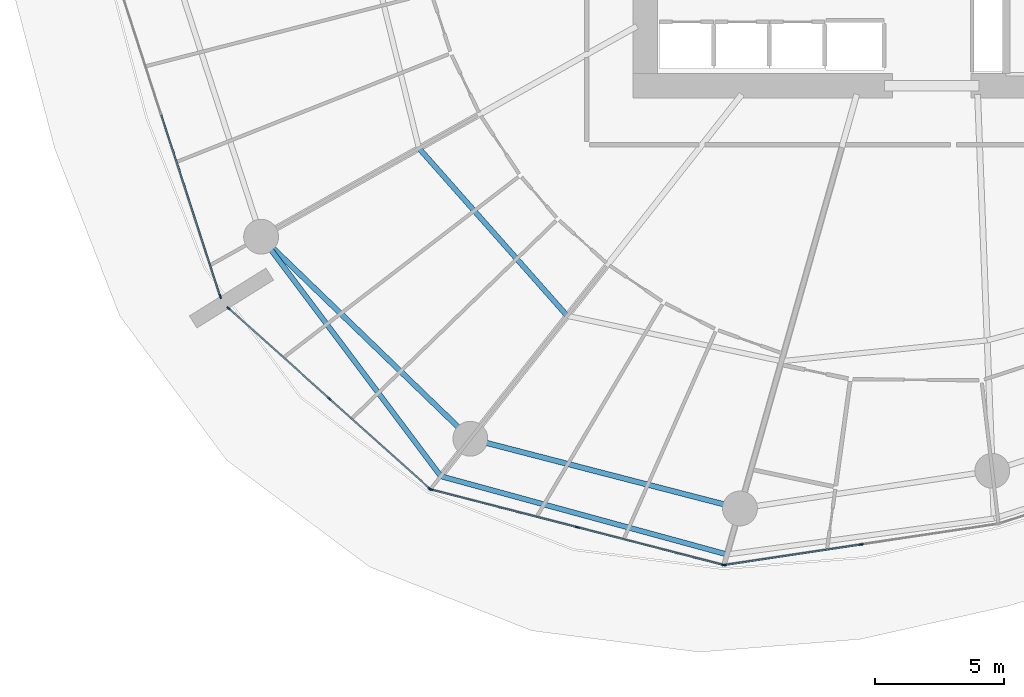
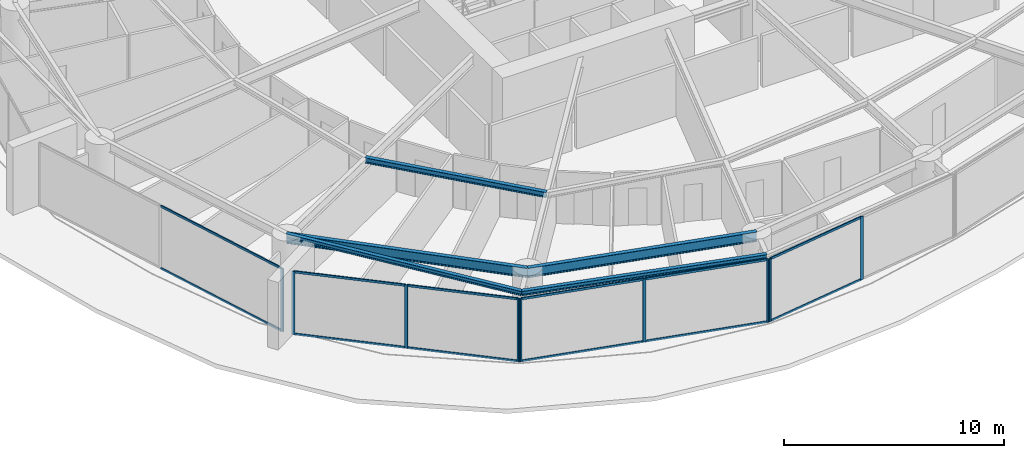
# One storey, part 5 of 22: 21 members, 5 beams, 4 elements without a shape of their own.
"""IFC4 building model written with IfcOpenShell, lengths in metres."""

from ifc_helpers import new_model, si_unit, direction, frame, origin, origin_2d, place, context, subcontext, project, spatial, rectangle, i_section, extrude, material, layer, layer_set, material_profile, profile_set, type_object, element, aggregate, save


model = new_model("IFC4")

# Units and contexts
model_context = context("Model", 3, precision=1e-05, world=origin(), true_north=direction((0.0, 1.0)))
body_context = subcontext(model_context, "Body", "Model", "MODEL_VIEW")
ifc_project = project(units=[si_unit("LENGTHUNIT", "METRE"), si_unit("AREAUNIT", "SQUARE_METRE"), si_unit("VOLUMEUNIT", "CUBIC_METRE"), si_unit("PLANEANGLEUNIT", "RADIAN"), si_unit("MASSUNIT", "GRAM", prefix="KILO")], contexts=[model_context])

# Site, building, storey
site_placement = place(None, origin())
site = spatial("IfcSite", under=ifc_project, at=site_placement, CompositionType="ELEMENT")
building_placement = place(site_placement, origin())
building = spatial("IfcBuilding", under=site, at=building_placement, Name="Kazma Halo Residences", CompositionType="ELEMENT")
storey_placement = place(building_placement, frame((0.0, 0.0, 26.39990234375)))
storey = spatial("IfcBuildingStorey", under=building, at=storey_placement, Name="L05", CompositionType="ELEMENT", Elevation=26.39990234375)

# Beams
ifc_material_1 = material(Name="Steel S355", Category="steel")
ifc_material_profile_1 = material_profile(ifc_material_1, i_section(OverallWidth=0.201904296875, OverallDepth=0.2470703125, WebThickness=0.00732421875, FlangeThickness=0.010986328125, FilletRadius=0.011962890625, at=origin_2d()), Name="W250x49.1")
ifc_profile_set_1 = profile_set([ifc_material_profile_1], Name="Steel S355")
beam_type_1 = type_object("IfcBeamType", Name="BM-BAL-CANT", PredefinedType="BEAM", material=ifc_profile_set_1)
beam_1_placement = place(storey_placement, frame((22.43505859375, 27.682861328125, 3.376708984375), z_axis=(0.600026935007, -0.799979798037, 0.0), x_axis=(0.799979798037, 0.600026935007, 0.0)))
element("IfcBeam", 1, at=beam_1_placement, inside=storey, type_object=beam_type_1, Name="L05 wave-balcony lead tie beam 09", PredefinedType="BEAM", context=body_context, shape_type="SweptSolid", body=[
    extrude(i_section(OverallWidth=0.201904296875, OverallDepth=0.2470703125, WebThickness=0.00732421875, FlangeThickness=0.010986328125, FilletRadius=0.011962890625, at=origin_2d()), origin(), (0.0, 0.0, 1.0), 11.601806640625),
])
beam_2_placement = place(storey_placement, frame((29.396484375, 18.401611328125, 3.376708984375), z_axis=(0.964628474934, -0.263613173697, 0.0), x_axis=(0.263613173697, 0.964628474934, 0.0)))
element("IfcBeam", 2, at=beam_2_placement, inside=storey, type_object=beam_type_1, Name="L05 wave-balcony tie beam 10", PredefinedType="BEAM", context=body_context, shape_type="SweptSolid", body=[
    extrude(i_section(OverallWidth=0.201904296875, OverallDepth=0.2470703125, WebThickness=0.00732421875, FlangeThickness=0.010986328125, FilletRadius=0.011962890625, at=origin_2d()), origin(), (0.0, 0.0, 1.0), 11.499755859375),
])
ifc_material_profile_2 = material_profile(ifc_material_1, i_section(OverallWidth=0.202880859375, OverallDepth=0.302978515625, WebThickness=0.007568359375, FlangeThickness=0.01318359375, FilletRadius=0.013916015625, at=origin_2d()), Name="W310x60")
ifc_profile_set_2 = profile_set([ifc_material_profile_2], Name="Steel S355")
beam_type_2 = type_object("IfcBeamType", Name="BM-SEC-W310A", PredefinedType="JOIST", material=ifc_profile_set_2)
beam_3_placement = place(storey_placement, frame((28.55224609375, 31.10888671875, 3.3486328125), z_axis=(0.662640120169, -0.748937962146, 0.0), x_axis=(0.748937962146, 0.662640120169, 0.0)))
element("IfcBeam", 3, at=beam_3_placement, inside=storey, type_object=beam_type_2, Name="L05 circumferential floor joist 09", PredefinedType="JOIST", context=body_context, shape_type="SweptSolid", body=[
    extrude(i_section(OverallWidth=0.202880859375, OverallDepth=0.302978515625, WebThickness=0.007568359375, FlangeThickness=0.01318359375, FilletRadius=0.013916015625, at=origin_2d()), origin(), (0.0, 0.0, 1.0), 8.668212890625),
])
ifc_material_profile_3 = material_profile(ifc_material_1, i_section(OverallWidth=0.208984375, OverallDepth=0.532958984375, WebThickness=0.01025390625, FlangeThickness=0.015625, FilletRadius=0.01611328125, at=origin_2d()), Name="W530x92")
ifc_profile_set_3 = profile_set([ifc_material_profile_3], Name="Steel S355")
beam_type_3 = type_object("IfcBeamType", Name="BM-SPN-W530", PredefinedType="BEAM", material=ifc_profile_set_3)
beam_4_placement = place(storey_placement, frame((22.43505859375, 27.682861328125, 3.233642578125), z_axis=(0.719336506967, -0.694661780829, 0.0), x_axis=(0.694661780829, 0.719336506967, 0.0)))
element("IfcBeam", 4, at=beam_4_placement, inside=storey, type_object=beam_type_3, Name="L05 perimeter ring beam 09", PredefinedType="BEAM", context=body_context, shape_type="SweptSolid", body=[
    extrude(i_section(OverallWidth=0.208984375, OverallDepth=0.532958984375, WebThickness=0.01025390625, FlangeThickness=0.015625, FilletRadius=0.01611328125, at=origin_2d()), origin(), (0.0, 0.0, 1.0), 11.269775390625),
])
beam_5_placement = place(storey_placement, frame((30.541748046875, 19.854248046875, 3.233642578125), z_axis=(0.968123558238, -0.250473104313, 0.0), x_axis=(0.250473104313, 0.968123558238, 0.0)))
element("IfcBeam", 5, at=beam_5_placement, inside=storey, type_object=beam_type_3, Name="L05 perimeter ring beam 10", PredefinedType="BEAM", context=body_context, shape_type="SweptSolid", body=[
    extrude(i_section(OverallWidth=0.208984375, OverallDepth=0.532958984375, WebThickness=0.01025390625, FlangeThickness=0.015625, FilletRadius=0.01611328125, at=origin_2d()), origin(), (0.0, 0.0, 1.0), 10.7939453125),
])

# Curtain wall, member
ifc_material_2 = material(Name="Aluminium AW-6063 T6 and Triple-Silver Low-E Glass", Category="aluminium")
ifc_layer = layer(ifc_material_2, 0.159912109375)
ifc_layer_set = layer_set([ifc_layer], Name="Aluminium AW-6063 T6 and Triple-Silver Low-E Glass")
curtain_wall_type = type_object("IfcCurtainWallType", Name="CW-SYS-2", PredefinedType="NOTDEFINED", material=ifc_layer_set)
curtain_wall_1_placement = place(storey_placement, origin())
curtain_wall_1 = element("IfcCurtainWall", 6, at=curtain_wall_1_placement, inside=storey, type_object=curtain_wall_type, Name="L05 unitised curtain wall B08", PredefinedType="NOTDEFINED")
ifc_material_3 = material(Name="Aluminium AW-6063 T6", Category="aluminium")
ifc_material_profile_4 = material_profile(ifc_material_3, rectangle(XDim=0.06005859375, YDim=0.159912109375, at=origin_2d()), Name="CWM-60x160")
ifc_profile_set_4 = profile_set([ifc_material_profile_4], Name="Aluminium AW-6063 T6")
member_type_1 = type_object("IfcMemberType", Name="CW-SYS-2-MUL", PredefinedType="MULLION", material=ifc_profile_set_4)
member_1_placement = place(storey_placement, frame((20.854248046875, 25.36669921875, 0.0), z_axis=(0.0, 0.0, 1.0), x_axis=(0.95105652404, 0.309016970539, 0.0)))
member_1 = element("IfcMember", 7, at=member_1_placement, type_object=member_type_1, Name="CWS-2 mullion 3", PredefinedType="MULLION", context=body_context, shape_type="SweptSolid", body=[
    extrude(rectangle(XDim=0.06005859375, YDim=0.159912109375, at=origin_2d()), origin(), (0.0, 0.0, 1.0), 3.5),
])

# Curtain wall, members
curtain_wall_2_placement = place(storey_placement, origin())
curtain_wall_2 = element("IfcCurtainWall", 8, at=curtain_wall_2_placement, inside=storey, type_object=curtain_wall_type, Name="L05 unitised curtain wall B09", PredefinedType="NOTDEFINED")
member_2_placement = place(storey_placement, frame((21.17333984375, 24.908203125, 0.0), z_axis=(0.0, 0.0, 1.0), x_axis=(0.667821453854, 0.744321506993, 0.0)))
member_2 = element("IfcMember", 9, at=member_2_placement, type_object=member_type_1, Name="CWS-2 mullion 1", PredefinedType="MULLION", context=body_context, shape_type="SweptSolid", body=[
    extrude(rectangle(XDim=0.06005859375, YDim=0.159912109375, at=origin_2d()), origin(), (0.0, 0.0, 1.0), 3.5),
])
member_3_placement = place(storey_placement, frame((25.07275390625, 21.409912109375, 0.0), z_axis=(0.0, 0.0, 1.0), x_axis=(0.667821453854, 0.744321506993, 0.0)))
member_3 = element("IfcMember", 10, at=member_3_placement, type_object=member_type_1, Name="CWS-2 mullion 2", PredefinedType="MULLION", context=body_context, shape_type="SweptSolid", body=[
    extrude(rectangle(XDim=0.06005859375, YDim=0.159912109375, at=origin_2d()), origin(), (0.0, 0.0, 1.0), 3.5),
])
member_4_placement = place(storey_placement, frame((28.971923828125, 17.911376953125, 0.0), z_axis=(0.0, 0.0, 1.0), x_axis=(0.667821453854, 0.744321506993, 0.0)))
member_4 = element("IfcMember", 11, at=member_4_placement, type_object=member_type_1, Name="CWS-2 mullion 3", PredefinedType="MULLION", context=body_context, shape_type="SweptSolid", body=[
    extrude(rectangle(XDim=0.06005859375, YDim=0.159912109375, at=origin_2d()), origin(), (0.0, 0.0, 1.0), 3.5),
])

curtain_wall_3_placement = place(storey_placement, origin())
curtain_wall_3 = element("IfcCurtainWall", 12, at=curtain_wall_3_placement, inside=storey, type_object=curtain_wall_type, Name="L05 unitised curtain wall B10", PredefinedType="NOTDEFINED")
member_5_placement = place(storey_placement, frame((29.023193359375, 17.8837890625, 0.0), z_axis=(0.0, 0.0, 1.0), x_axis=(0.249635311349, 0.968339925505, 0.0)))
member_5 = element("IfcMember", 13, at=member_5_placement, type_object=member_type_1, Name="CWS-2 mullion 1", PredefinedType="MULLION", context=body_context, shape_type="SweptSolid", body=[
    extrude(rectangle(XDim=0.06005859375, YDim=0.159912109375, at=origin_2d()), origin(), (0.0, 0.0, 1.0), 3.5),
])
member_6_placement = place(storey_placement, frame((34.683837890625, 16.424560546875, 0.0), z_axis=(0.0, 0.0, 1.0), x_axis=(0.249635311349, 0.968339925505, 0.0)))
member_6 = element("IfcMember", 14, at=member_6_placement, type_object=member_type_1, Name="CWS-2 mullion 2", PredefinedType="MULLION", context=body_context, shape_type="SweptSolid", body=[
    extrude(rectangle(XDim=0.06005859375, YDim=0.159912109375, at=origin_2d()), origin(), (0.0, 0.0, 1.0), 3.5),
])
member_7_placement = place(storey_placement, frame((40.34423828125, 14.96533203125, 0.0), z_axis=(0.0, 0.0, 1.0), x_axis=(0.249635311349, 0.968339925505, 0.0)))
member_7 = element("IfcMember", 15, at=member_7_placement, type_object=member_type_1, Name="CWS-2 mullion 3", PredefinedType="MULLION", context=body_context, shape_type="SweptSolid", body=[
    extrude(rectangle(XDim=0.06005859375, YDim=0.159912109375, at=origin_2d()), origin(), (0.0, 0.0, 1.0), 3.5),
])

curtain_wall_4_placement = place(storey_placement, origin())
curtain_wall_4 = element("IfcCurtainWall", 16, at=curtain_wall_4_placement, inside=storey, type_object=curtain_wall_type, Name="L05 unitised curtain wall B11", PredefinedType="NOTDEFINED")
member_8_placement = place(storey_placement, frame((40.403076171875, 14.962158203125, 0.0), z_axis=(0.0, 0.0, 1.0), x_axis=(-0.148657272805, 0.988888777994, 0.0)))
member_8 = element("IfcMember", 17, at=member_8_placement, type_object=member_type_1, Name="CWS-2 mullion 1", PredefinedType="MULLION", context=body_context, shape_type="SweptSolid", body=[
    extrude(rectangle(XDim=0.06005859375, YDim=0.159912109375, at=origin_2d()), origin(), (0.0, 0.0, 1.0), 3.5),
])
member_9_placement = place(storey_placement, frame((45.6923828125, 15.75732421875, 0.0), z_axis=(0.0, 0.0, 1.0), x_axis=(-0.148657272805, 0.988888777994, 0.0)))
member_9 = element("IfcMember", 18, at=member_9_placement, type_object=member_type_1, Name="CWS-2 mullion 2", PredefinedType="MULLION", context=body_context, shape_type="SweptSolid", body=[
    extrude(rectangle(XDim=0.06005859375, YDim=0.159912109375, at=origin_2d()), origin(), (0.0, 0.0, 1.0), 3.5),
])

# Member
ifc_material_profile_5 = material_profile(ifc_material_3, rectangle(XDim=0.06005859375, YDim=0.1201171875, at=origin_2d()), Name="CWT-60x120")
ifc_profile_set_5 = profile_set([ifc_material_profile_5], Name="Aluminium AW-6063 T6")
member_type_2 = type_object("IfcMemberType", Name="CW-SYS-2-TRN", PredefinedType="USERDEFINED", material=ifc_profile_set_5)
member_10_placement = place(storey_placement, frame((18.5673828125, 32.4052734375, 0.030029296875), z_axis=(0.309004433966, -0.951060597328, 0.0), x_axis=(0.951060597328, 0.309004433966, 0.0)))
member_10 = element("IfcMember", 19, at=member_10_placement, type_object=member_type_2, Name="CWS-2 transom 2.1", ObjectType="TRANSOM", PredefinedType="USERDEFINED", context=body_context, shape_type="SweptSolid", body=[
    extrude(rectangle(XDim=0.06005859375, YDim=0.1201171875, at=origin_2d()), origin(), (0.0, 0.0, 1.0), 7.370849609375),
])

member_11_placement = place(storey_placement, frame((18.5673828125, 32.4052734375, 3.47021484375), z_axis=(0.309004433966, -0.951060597328, 0.0), x_axis=(0.951060597328, 0.309004433966, 0.0)))
member_11 = element("IfcMember", 20, at=member_11_placement, type_object=member_type_2, Name="CWS-2 transom 2.2", ObjectType="TRANSOM", PredefinedType="USERDEFINED", context=body_context, shape_type="SweptSolid", body=[
    extrude(rectangle(XDim=0.06005859375, YDim=0.1201171875, at=origin_2d()), origin(), (0.0, 0.0, 1.0), 7.370849609375),
])

aggregate(curtain_wall_1, [member_1, member_10, member_11])

member_12_placement = place(storey_placement, frame((21.19580078125, 24.88818359375, 0.030029296875), z_axis=(0.744329408538, -0.66781264707, 0.0), x_axis=(0.66781264707, 0.744329408538, 0.0)))
member_12 = element("IfcMember", 21, at=member_12_placement, type_object=member_type_2, Name="CWS-2 transom 1.1", ObjectType="TRANSOM", PredefinedType="USERDEFINED", context=body_context, shape_type="SweptSolid", body=[
    extrude(rectangle(XDim=0.06005859375, YDim=0.1201171875, at=origin_2d()), origin(), (0.0, 0.0, 1.0), 5.178466796875),
])

member_13_placement = place(storey_placement, frame((21.19580078125, 24.88818359375, 3.47021484375), z_axis=(0.744329408538, -0.66781264707, 0.0), x_axis=(0.66781264707, 0.744329408538, 0.0)))
member_13 = element("IfcMember", 22, at=member_13_placement, type_object=member_type_2, Name="CWS-2 transom 1.2", ObjectType="TRANSOM", PredefinedType="USERDEFINED", context=body_context, shape_type="SweptSolid", body=[
    extrude(rectangle(XDim=0.06005859375, YDim=0.1201171875, at=origin_2d()), origin(), (0.0, 0.0, 1.0), 5.178466796875),
])

member_14_placement = place(storey_placement, frame((25.094970703125, 21.3896484375, 0.030029296875), z_axis=(0.744329408538, -0.66781264707, 0.0), x_axis=(0.66781264707, 0.744329408538, 0.0)))
member_14 = element("IfcMember", 23, at=member_14_placement, type_object=member_type_2, Name="CWS-2 transom 2.1", ObjectType="TRANSOM", PredefinedType="USERDEFINED", context=body_context, shape_type="SweptSolid", body=[
    extrude(rectangle(XDim=0.06005859375, YDim=0.1201171875, at=origin_2d()), origin(), (0.0, 0.0, 1.0), 5.178466796875),
])

member_15_placement = place(storey_placement, frame((25.094970703125, 21.3896484375, 3.47021484375), z_axis=(0.744329408538, -0.66781264707, 0.0), x_axis=(0.66781264707, 0.744329408538, 0.0)))
member_15 = element("IfcMember", 24, at=member_15_placement, type_object=member_type_2, Name="CWS-2 transom 2.2", ObjectType="TRANSOM", PredefinedType="USERDEFINED", context=body_context, shape_type="SweptSolid", body=[
    extrude(rectangle(XDim=0.06005859375, YDim=0.1201171875, at=origin_2d()), origin(), (0.0, 0.0, 1.0), 5.178466796875),
])

aggregate(curtain_wall_2, [member_2, member_3, member_4, member_12, member_13, member_14, member_15])

member_16_placement = place(storey_placement, frame((29.05224609375, 17.876220703125, 0.030029296875), z_axis=(0.968349410309, -0.249598516732, 0.0), x_axis=(0.249598516732, 0.968349410309, 0.0)))
member_16 = element("IfcMember", 25, at=member_16_placement, type_object=member_type_2, Name="CWS-2 transom 1.1", ObjectType="TRANSOM", PredefinedType="USERDEFINED", context=body_context, shape_type="SweptSolid", body=[
    extrude(rectangle(XDim=0.06005859375, YDim=0.1201171875, at=origin_2d()), origin(), (0.0, 0.0, 1.0), 5.78564453125),
])

member_17_placement = place(storey_placement, frame((29.05224609375, 17.876220703125, 3.47021484375), z_axis=(0.968349410309, -0.249598516732, 0.0), x_axis=(0.249598516732, 0.968349410309, 0.0)))
member_17 = element("IfcMember", 26, at=member_17_placement, type_object=member_type_2, Name="CWS-2 transom 1.2", ObjectType="TRANSOM", PredefinedType="USERDEFINED", context=body_context, shape_type="SweptSolid", body=[
    extrude(rectangle(XDim=0.06005859375, YDim=0.1201171875, at=origin_2d()), origin(), (0.0, 0.0, 1.0), 5.78564453125),
])

member_18_placement = place(storey_placement, frame((34.712890625, 16.4169921875, 0.030029296875), z_axis=(0.968336580669, -0.249648285669, 0.0), x_axis=(0.249648285669, 0.968336580669, 0.0)))
member_18 = element("IfcMember", 27, at=member_18_placement, type_object=member_type_2, Name="CWS-2 transom 2.1", ObjectType="TRANSOM", PredefinedType="USERDEFINED", context=body_context, shape_type="SweptSolid", body=[
    extrude(rectangle(XDim=0.06005859375, YDim=0.1201171875, at=origin_2d()), origin(), (0.0, 0.0, 1.0), 5.785400390625),
])

member_19_placement = place(storey_placement, frame((34.712890625, 16.4169921875, 3.47021484375), z_axis=(0.968336580669, -0.249648285669, 0.0), x_axis=(0.249648285669, 0.968336580669, 0.0)))
member_19 = element("IfcMember", 28, at=member_19_placement, type_object=member_type_2, Name="CWS-2 transom 2.2", ObjectType="TRANSOM", PredefinedType="USERDEFINED", context=body_context, shape_type="SweptSolid", body=[
    extrude(rectangle(XDim=0.06005859375, YDim=0.1201171875, at=origin_2d()), origin(), (0.0, 0.0, 1.0), 5.785400390625),
])

aggregate(curtain_wall_3, [member_5, member_6, member_7, member_16, member_17, member_18, member_19])

member_20_placement = place(storey_placement, frame((40.4326171875, 14.966796875, 0.030029296875), z_axis=(0.988890934274, 0.148642928222, 0.0), x_axis=(-0.148642928222, 0.988890934274, 0.0)))
member_20 = element("IfcMember", 29, at=member_20_placement, type_object=member_type_2, Name="CWS-2 transom 1.1", ObjectType="TRANSOM", PredefinedType="USERDEFINED", context=body_context, shape_type="SweptSolid", body=[
    extrude(rectangle(XDim=0.06005859375, YDim=0.1201171875, at=origin_2d()), origin(), (0.0, 0.0, 1.0), 5.288818359375),
])

member_21_placement = place(storey_placement, frame((40.4326171875, 14.966796875, 3.47021484375), z_axis=(0.988890934274, 0.148642928222, 0.0), x_axis=(-0.148642928222, 0.988890934274, 0.0)))
member_21 = element("IfcMember", 30, at=member_21_placement, type_object=member_type_2, Name="CWS-2 transom 1.2", ObjectType="TRANSOM", PredefinedType="USERDEFINED", context=body_context, shape_type="SweptSolid", body=[
    extrude(rectangle(XDim=0.06005859375, YDim=0.1201171875, at=origin_2d()), origin(), (0.0, 0.0, 1.0), 5.288818359375),
])

aggregate(curtain_wall_4, [member_8, member_9, member_20, member_21])

save(model, "model.ifc")
